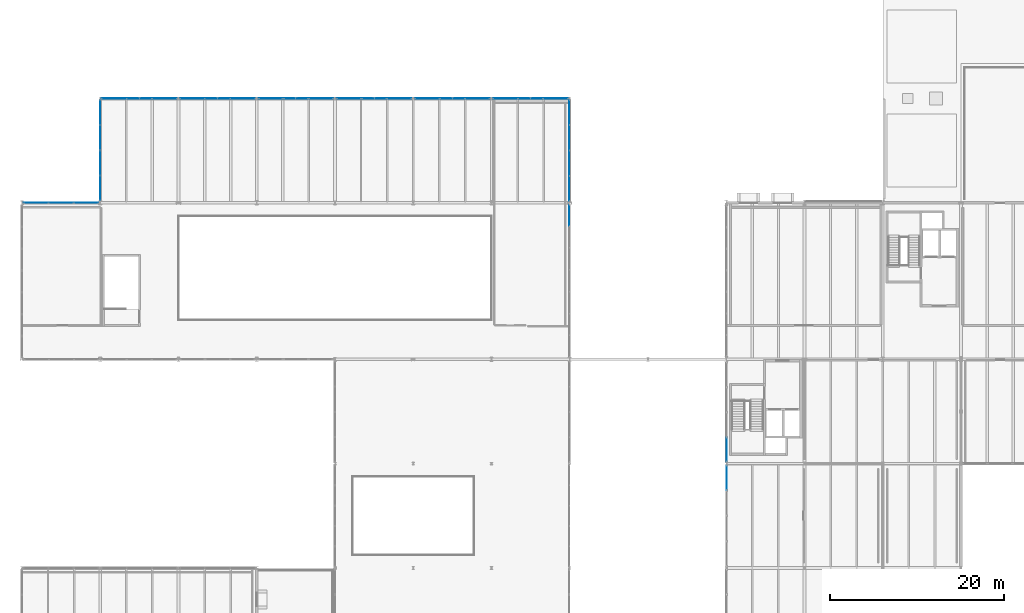
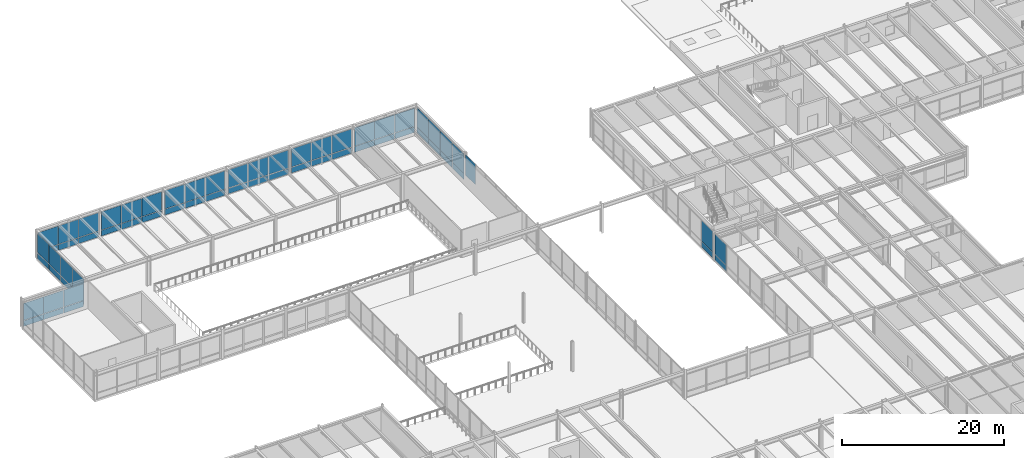
# One storey, part 94 of 115: 63 plates, 12 elements without a shape of their own.
"""IFC4 building model written with IfcOpenShell, lengths in metres."""

from ifc_helpers import new_model, si_unit, direction, frame, origin, origin_2d, place, context, subcontext, project, spatial, rectangle, extrude, material, layer, layer_set, type_object, element, aggregate, save


model = new_model("IFC4")

# Units and contexts
model_context = context("Model", 3, precision=1e-05, world=origin(), true_north=direction((0.0, 1.0)))
body_context = subcontext(model_context, "Body", "Model", "MODEL_VIEW")
ifc_project = project(units=[si_unit("LENGTHUNIT", "METRE"), si_unit("AREAUNIT", "SQUARE_METRE"), si_unit("VOLUMEUNIT", "CUBIC_METRE"), si_unit("PLANEANGLEUNIT", "RADIAN"), si_unit("MASSUNIT", "GRAM", prefix="KILO")], contexts=[model_context])

# Site, building, storey
site_placement = place(None, origin())
site = spatial("IfcSite", under=ifc_project, at=site_placement, CompositionType="ELEMENT")
building_placement = place(site_placement, origin())
building = spatial("IfcBuilding", under=site, at=building_placement, Name="Montelvaro Courts of Justice", CompositionType="ELEMENT")
storey_placement = place(building_placement, frame((0.0, 0.0, 9.89990234375)))
storey = spatial("IfcBuildingStorey", under=building, at=storey_placement, Name="L02", CompositionType="ELEMENT", Elevation=9.89990234375)

# Curtain wall, plate
ifc_material_1 = material(Name="Anodised aluminium EN AW-6063", Category="aluminium")
ifc_layer_1 = layer(ifc_material_1, 0.159912109375)
ifc_layer_set_1 = layer_set([ifc_layer_1], Name="Anodised aluminium EN AW-6063")
curtain_wall_type_1 = type_object("IfcCurtainWallType", Name="CurtainWall_22_1761x418", PredefinedType="USERDEFINED", material=ifc_layer_set_1)
curtain_wall_1_placement = place(storey_placement, origin())
curtain_wall_1 = element("IfcCurtainWall", 1, at=curtain_wall_1_placement, inside=storey, type_object=curtain_wall_type_1, Name="Curtain Wall CW-22 (L02)", ObjectType="CURTAIN WALL", PredefinedType="USERDEFINED")
ifc_material_2 = material(Name="Low-E solar control double glazing", Category="glass")
ifc_layer_2 = layer(ifc_material_2, 0.028076171875)
ifc_layer_set_2 = layer_set([ifc_layer_2], Name="Low-E solar control double glazing")
plate_type = type_object("IfcPlateType", Name="CurtainWall_Glazed_Panel_28", PredefinedType="CURTAIN_PANEL", material=ifc_layer_set_2)
plate_1_placement = place(storey_placement, frame((80.949951171875, 94.563232421875, 0.97998046875), z_axis=(0.0, 0.0, 1.0), x_axis=(0.0, 1.0, 0.0)))
plate_1 = element("IfcPlate", 2, at=plate_1_placement, type_object=plate_type, Name="CW-22 panel 7.2", PredefinedType="CURTAIN_PANEL", context=body_context, shape_type="SweptSolid", body=[
    extrude(rectangle(XDim=2.423583984375, YDim=0.028076171875, at=origin_2d()), origin(), (0.0, 0.0, 1.0), 3.080078125),
])
aggregate(curtain_wall_1, [plate_1])

# Curtain wall, plates
ifc_layer_3 = layer(ifc_material_1, 0.159912109375)
ifc_layer_set_3 = layer_set([ifc_layer_3], Name="Anodised aluminium EN AW-6063")
curtain_wall_type_2 = type_object("IfcCurtainWallType", Name="CurtainWall_24_1169x418", PredefinedType="USERDEFINED", material=ifc_layer_set_3)
curtain_wall_2_placement = place(storey_placement, origin())
curtain_wall_2 = element("IfcCurtainWall", 3, at=curtain_wall_2_placement, inside=storey, type_object=curtain_wall_type_2, Name="Curtain Wall CW-24 (L02)", ObjectType="CURTAIN WALL", PredefinedType="USERDEFINED")
plate_2_placement = place(storey_placement, frame((80.949951171875, 97.641357421875, 0.06005859375), z_axis=(0.0, 0.0, 1.0), x_axis=(0.0, 1.0, 0.0)))
plate_2 = element("IfcPlate", 4, at=plate_2_placement, type_object=plate_type, Name="CW-24 panel 1.1", PredefinedType="CURTAIN_PANEL", context=body_context, shape_type="SweptSolid", body=[
    extrude(rectangle(XDim=2.83251953125, YDim=0.028076171875, at=origin_2d()), origin(), (0.0, 0.0, 1.0), 0.860107421875),
])
plate_3_placement = place(storey_placement, frame((80.949951171875, 97.641357421875, 0.97998046875), z_axis=(0.0, 0.0, 1.0), x_axis=(0.0, 1.0, 0.0)))
plate_3 = element("IfcPlate", 5, at=plate_3_placement, type_object=plate_type, Name="CW-24 panel 1.2", PredefinedType="CURTAIN_PANEL", context=body_context, shape_type="SweptSolid", body=[
    extrude(rectangle(XDim=2.83251953125, YDim=0.028076171875, at=origin_2d()), origin(), (0.0, 0.0, 1.0), 2.905029296875),
])
plate_4_placement = place(storey_placement, frame((80.949951171875, 100.548828125, 0.06005859375), z_axis=(0.0, 0.0, 1.0), x_axis=(0.0, 1.0, 0.0)))
plate_4 = element("IfcPlate", 6, at=plate_4_placement, type_object=plate_type, Name="CW-24 panel 2.1", PredefinedType="CURTAIN_PANEL", context=body_context, shape_type="SweptSolid", body=[
    extrude(rectangle(XDim=2.862548828125, YDim=0.028076171875, at=origin_2d()), origin(), (0.0, 0.0, 1.0), 0.860107421875),
])
plate_5_placement = place(storey_placement, frame((80.949951171875, 100.548828125, 0.97998046875), z_axis=(0.0, 0.0, 1.0), x_axis=(0.0, 1.0, 0.0)))
plate_5 = element("IfcPlate", 7, at=plate_5_placement, type_object=plate_type, Name="CW-24 panel 2.2", PredefinedType="CURTAIN_PANEL", context=body_context, shape_type="SweptSolid", body=[
    extrude(rectangle(XDim=2.862548828125, YDim=0.028076171875, at=origin_2d()), origin(), (0.0, 0.0, 1.0), 2.905029296875),
])
plate_6_placement = place(storey_placement, frame((80.949951171875, 103.47119140625, 0.06005859375), z_axis=(0.0, 0.0, 1.0), x_axis=(0.0, 1.0, 0.0)))
plate_6 = element("IfcPlate", 8, at=plate_6_placement, type_object=plate_type, Name="CW-24 panel 3.1", PredefinedType="CURTAIN_PANEL", context=body_context, shape_type="SweptSolid", body=[
    extrude(rectangle(XDim=2.862548828125, YDim=0.028076171875, at=origin_2d()), origin(), (0.0, 0.0, 1.0), 0.860107421875),
])
plate_7_placement = place(storey_placement, frame((80.949951171875, 103.47119140625, 0.97998046875), z_axis=(0.0, 0.0, 1.0), x_axis=(0.0, 1.0, 0.0)))
plate_7 = element("IfcPlate", 9, at=plate_7_placement, type_object=plate_type, Name="CW-24 panel 3.2", PredefinedType="CURTAIN_PANEL", context=body_context, shape_type="SweptSolid", body=[
    extrude(rectangle(XDim=2.862548828125, YDim=0.028076171875, at=origin_2d()), origin(), (0.0, 0.0, 1.0), 2.905029296875),
])
plate_8_placement = place(storey_placement, frame((80.949951171875, 106.378662109375, 0.06005859375), z_axis=(0.0, 0.0, 1.0), x_axis=(0.0, 1.0, 0.0)))
plate_8 = element("IfcPlate", 10, at=plate_8_placement, type_object=plate_type, Name="CW-24 panel 4.1", PredefinedType="CURTAIN_PANEL", context=body_context, shape_type="SweptSolid", body=[
    extrude(rectangle(XDim=2.83251953125, YDim=0.028076171875, at=origin_2d()), origin(), (0.0, 0.0, 1.0), 0.860107421875),
])
plate_9_placement = place(storey_placement, frame((80.949951171875, 106.378662109375, 0.97998046875), z_axis=(0.0, 0.0, 1.0), x_axis=(0.0, 1.0, 0.0)))
plate_9 = element("IfcPlate", 11, at=plate_9_placement, type_object=plate_type, Name="CW-24 panel 4.2", PredefinedType="CURTAIN_PANEL", context=body_context, shape_type="SweptSolid", body=[
    extrude(rectangle(XDim=2.83251953125, YDim=0.028076171875, at=origin_2d()), origin(), (0.0, 0.0, 1.0), 2.905029296875),
])
aggregate(curtain_wall_2, [plate_2, plate_3, plate_4, plate_5, plate_6, plate_7, plate_8, plate_9])

ifc_layer_4 = layer(ifc_material_1, 0.159912109375)
ifc_layer_set_4 = layer_set([ifc_layer_4], Name="Anodised aluminium EN AW-6063")
curtain_wall_type_3 = type_object("IfcCurtainWallType", Name="CurtainWall_14_867x418", PredefinedType="USERDEFINED", material=ifc_layer_set_4)
curtain_wall_3_placement = place(storey_placement, origin())
curtain_wall_3 = element("IfcCurtainWall", 12, at=curtain_wall_3_placement, inside=storey, type_object=curtain_wall_type_3, Name="Curtain Wall CW-14 (L02)", ObjectType="CURTAIN WALL", PredefinedType="USERDEFINED")
plate_10_placement = place(storey_placement, frame((79.348388671875, 108.0, 0.06005859375), z_axis=(0.0, 0.0, 1.0), x_axis=(-1.0, 0.0, 0.0)))
plate_10 = element("IfcPlate", 13, at=plate_10_placement, type_object=plate_type, Name="CW-14 panel 1.1", PredefinedType="CURTAIN_PANEL", context=body_context, shape_type="SweptSolid", body=[
    extrude(rectangle(XDim=2.793212890625, YDim=0.028076171875, at=origin_2d()), origin(), (0.0, 0.0, 1.0), 0.860107421875),
])
plate_11_placement = place(storey_placement, frame((79.348388671875, 108.0, 0.980224609375), z_axis=(0.0, 0.0, 1.0), x_axis=(-1.0, 0.0, 0.0)))
plate_11 = element("IfcPlate", 14, at=plate_11_placement, type_object=plate_type, Name="CW-14 panel 1.2", PredefinedType="CURTAIN_PANEL", context=body_context, shape_type="SweptSolid", body=[
    extrude(rectangle(XDim=2.793212890625, YDim=0.028076171875, at=origin_2d()), origin(), (0.0, 0.0, 1.0), 2.7548828125),
])
plate_12_placement = place(storey_placement, frame((76.47998046875, 108.0, 0.06005859375), z_axis=(0.0, 0.0, 1.0), x_axis=(-1.0, 0.0, 0.0)))
plate_12 = element("IfcPlate", 15, at=plate_12_placement, type_object=plate_type, Name="CW-14 panel 2.1", PredefinedType="CURTAIN_PANEL", context=body_context, shape_type="SweptSolid", body=[
    extrude(rectangle(XDim=2.8232421875, YDim=0.028076171875, at=origin_2d()), origin(), (0.0, 0.0, 1.0), 0.860107421875),
])
plate_13_placement = place(storey_placement, frame((76.47998046875, 108.0, 0.980224609375), z_axis=(0.0, 0.0, 1.0), x_axis=(-1.0, 0.0, 0.0)))
plate_13 = element("IfcPlate", 16, at=plate_13_placement, type_object=plate_type, Name="CW-14 panel 2.2", PredefinedType="CURTAIN_PANEL", context=body_context, shape_type="SweptSolid", body=[
    extrude(rectangle(XDim=2.8232421875, YDim=0.028076171875, at=origin_2d()), origin(), (0.0, 0.0, 1.0), 2.7548828125),
])
plate_14_placement = place(storey_placement, frame((73.611572265625, 108.0, 0.06005859375), z_axis=(0.0, 0.0, 1.0), x_axis=(-1.0, 0.0, 0.0)))
plate_14 = element("IfcPlate", 17, at=plate_14_placement, type_object=plate_type, Name="CW-14 panel 3.1", PredefinedType="CURTAIN_PANEL", context=body_context, shape_type="SweptSolid", body=[
    extrude(rectangle(XDim=2.793212890625, YDim=0.028076171875, at=origin_2d()), origin(), (0.0, 0.0, 1.0), 0.860107421875),
])
plate_15_placement = place(storey_placement, frame((73.611572265625, 108.0, 0.980224609375), z_axis=(0.0, 0.0, 1.0), x_axis=(-1.0, 0.0, 0.0)))
plate_15 = element("IfcPlate", 18, at=plate_15_placement, type_object=plate_type, Name="CW-14 panel 3.2", PredefinedType="CURTAIN_PANEL", context=body_context, shape_type="SweptSolid", body=[
    extrude(rectangle(XDim=2.793212890625, YDim=0.028076171875, at=origin_2d()), origin(), (0.0, 0.0, 1.0), 2.7548828125),
])
aggregate(curtain_wall_3, [plate_10, plate_11, plate_12, plate_13, plate_14, plate_15])

ifc_layer_5 = layer(ifc_material_1, 0.159912109375)
ifc_layer_set_5 = layer_set([ifc_layer_5], Name="Anodised aluminium EN AW-6063")
curtain_wall_type_4 = type_object("IfcCurtainWallType", Name="CurtainWall_18_868x418", PredefinedType="USERDEFINED", material=ifc_layer_set_5)
curtain_wall_4_placement = place(storey_placement, origin())
curtain_wall_4 = element("IfcCurtainWall", 19, at=curtain_wall_4_placement, inside=storey, type_object=curtain_wall_type_4, Name="Curtain Wall CW-18 (L02)", ObjectType="CURTAIN WALL", PredefinedType="USERDEFINED")
plate_16_placement = place(storey_placement, frame((70.378662109375, 108.0, 0.0751953125), z_axis=(0.0, 0.0, 1.0), x_axis=(-1.0, 0.0, 0.0)))
plate_16 = element("IfcPlate", 20, at=plate_16_placement, type_object=plate_type, Name="CW-18 panel 1.1", PredefinedType="CURTAIN_PANEL", context=body_context, shape_type="SweptSolid", body=[
    extrude(rectangle(XDim=2.802490234375, YDim=0.028076171875, at=origin_2d()), origin(), (0.0, 0.0, 1.0), 0.83740234375),
])
plate_17_placement = place(storey_placement, frame((70.378662109375, 108.0, 0.987548828125), z_axis=(0.0, 0.0, 1.0), x_axis=(-1.0, 0.0, 0.0)))
plate_17 = element("IfcPlate", 21, at=plate_17_placement, type_object=plate_type, Name="CW-18 panel 1.2", PredefinedType="CURTAIN_PANEL", context=body_context, shape_type="SweptSolid", body=[
    extrude(rectangle(XDim=2.802490234375, YDim=0.028076171875, at=origin_2d()), origin(), (0.0, 0.0, 1.0), 2.732421875),
])
plate_18_placement = place(storey_placement, frame((67.4951171875, 108.0, 0.0751953125), z_axis=(0.0, 0.0, 1.0), x_axis=(-1.0, 0.0, 0.0)))
plate_18 = element("IfcPlate", 22, at=plate_18_placement, type_object=plate_type, Name="CW-18 panel 2.1", PredefinedType="CURTAIN_PANEL", context=body_context, shape_type="SweptSolid", body=[
    extrude(rectangle(XDim=2.8349609375, YDim=0.028076171875, at=origin_2d()), origin(), (0.0, 0.0, 1.0), 0.83740234375),
])
plate_19_placement = place(storey_placement, frame((67.4951171875, 108.0, 0.987548828125), z_axis=(0.0, 0.0, 1.0), x_axis=(-1.0, 0.0, 0.0)))
plate_19 = element("IfcPlate", 23, at=plate_19_placement, type_object=plate_type, Name="CW-18 panel 2.2", PredefinedType="CURTAIN_PANEL", context=body_context, shape_type="SweptSolid", body=[
    extrude(rectangle(XDim=2.8349609375, YDim=0.028076171875, at=origin_2d()), origin(), (0.0, 0.0, 1.0), 2.732421875),
])
plate_20_placement = place(storey_placement, frame((64.611328125, 108.0, 0.0751953125), z_axis=(0.0, 0.0, 1.0), x_axis=(-1.0, 0.0, 0.0)))
plate_20 = element("IfcPlate", 24, at=plate_20_placement, type_object=plate_type, Name="CW-18 panel 3.1", PredefinedType="CURTAIN_PANEL", context=body_context, shape_type="SweptSolid", body=[
    extrude(rectangle(XDim=2.802490234375, YDim=0.028076171875, at=origin_2d()), origin(), (0.0, 0.0, 1.0), 0.83740234375),
])
plate_21_placement = place(storey_placement, frame((64.611328125, 108.0, 0.987548828125), z_axis=(0.0, 0.0, 1.0), x_axis=(-1.0, 0.0, 0.0)))
plate_21 = element("IfcPlate", 25, at=plate_21_placement, type_object=plate_type, Name="CW-18 panel 3.2", PredefinedType="CURTAIN_PANEL", context=body_context, shape_type="SweptSolid", body=[
    extrude(rectangle(XDim=2.802490234375, YDim=0.028076171875, at=origin_2d()), origin(), (0.0, 0.0, 1.0), 2.732421875),
])
aggregate(curtain_wall_4, [plate_16, plate_17, plate_18, plate_19, plate_20, plate_21])

curtain_wall_5_placement = place(storey_placement, origin())
curtain_wall_5 = element("IfcCurtainWall", 26, at=curtain_wall_5_placement, inside=storey, type_object=curtain_wall_type_4, Name="Curtain Wall CW-18 (L02)", ObjectType="CURTAIN WALL", PredefinedType="USERDEFINED")
plate_22_placement = place(storey_placement, frame((61.384521484375, 108.0, 0.0751953125), z_axis=(0.0, 0.0, 1.0), x_axis=(-1.0, 0.0, 0.0)))
plate_22 = element("IfcPlate", 27, at=plate_22_placement, type_object=plate_type, Name="CW-18 panel 1.1", PredefinedType="CURTAIN_PANEL", context=body_context, shape_type="SweptSolid", body=[
    extrude(rectangle(XDim=2.790771484375, YDim=0.028076171875, at=origin_2d()), origin(), (0.0, 0.0, 1.0), 0.83740234375),
])
plate_23_placement = place(storey_placement, frame((61.384521484375, 108.0, 0.987548828125), z_axis=(0.0, 0.0, 1.0), x_axis=(-1.0, 0.0, 0.0)))
plate_23 = element("IfcPlate", 28, at=plate_23_placement, type_object=plate_type, Name="CW-18 panel 1.2", PredefinedType="CURTAIN_PANEL", context=body_context, shape_type="SweptSolid", body=[
    extrude(rectangle(XDim=2.790771484375, YDim=0.028076171875, at=origin_2d()), origin(), (0.0, 0.0, 1.0), 2.732421875),
])
plate_24_placement = place(storey_placement, frame((58.5, 108.0, 0.0751953125), z_axis=(0.0, 0.0, 1.0), x_axis=(-1.0, 0.0, 0.0)))
plate_24 = element("IfcPlate", 29, at=plate_24_placement, type_object=plate_type, Name="CW-18 panel 2.1", PredefinedType="CURTAIN_PANEL", context=body_context, shape_type="SweptSolid", body=[
    extrude(rectangle(XDim=2.828369140625, YDim=0.028076171875, at=origin_2d()), origin(), (0.0, 0.0, 1.0), 0.83740234375),
])
plate_25_placement = place(storey_placement, frame((58.5, 108.0, 0.987548828125), z_axis=(0.0, 0.0, 1.0), x_axis=(-1.0, 0.0, 0.0)))
plate_25 = element("IfcPlate", 30, at=plate_25_placement, type_object=plate_type, Name="CW-18 panel 2.2", PredefinedType="CURTAIN_PANEL", context=body_context, shape_type="SweptSolid", body=[
    extrude(rectangle(XDim=2.828369140625, YDim=0.028076171875, at=origin_2d()), origin(), (0.0, 0.0, 1.0), 2.732421875),
])
plate_26_placement = place(storey_placement, frame((55.615478515625, 108.0, 0.0751953125), z_axis=(0.0, 0.0, 1.0), x_axis=(-1.0, 0.0, 0.0)))
plate_26 = element("IfcPlate", 31, at=plate_26_placement, type_object=plate_type, Name="CW-18 panel 3.1", PredefinedType="CURTAIN_PANEL", context=body_context, shape_type="SweptSolid", body=[
    extrude(rectangle(XDim=2.790771484375, YDim=0.028076171875, at=origin_2d()), origin(), (0.0, 0.0, 1.0), 0.83740234375),
])
plate_27_placement = place(storey_placement, frame((55.615478515625, 108.0, 0.987548828125), z_axis=(0.0, 0.0, 1.0), x_axis=(-1.0, 0.0, 0.0)))
plate_27 = element("IfcPlate", 32, at=plate_27_placement, type_object=plate_type, Name="CW-18 panel 3.2", PredefinedType="CURTAIN_PANEL", context=body_context, shape_type="SweptSolid", body=[
    extrude(rectangle(XDim=2.790771484375, YDim=0.028076171875, at=origin_2d()), origin(), (0.0, 0.0, 1.0), 2.732421875),
])
aggregate(curtain_wall_5, [plate_22, plate_23, plate_24, plate_25, plate_26, plate_27])

curtain_wall_6_placement = place(storey_placement, origin())
curtain_wall_6 = element("IfcCurtainWall", 33, at=curtain_wall_6_placement, inside=storey, type_object=curtain_wall_type_4, Name="Curtain Wall CW-18 (L02)", ObjectType="CURTAIN WALL", PredefinedType="USERDEFINED")
plate_28_placement = place(storey_placement, frame((52.38623046875, 108.0, 0.06005859375), z_axis=(0.0, 0.0, 1.0), x_axis=(-1.0, 0.0, 0.0)))
plate_28 = element("IfcPlate", 34, at=plate_28_placement, type_object=plate_type, Name="CW-18 panel 1.1", PredefinedType="CURTAIN_PANEL", context=body_context, shape_type="SweptSolid", body=[
    extrude(rectangle(XDim=2.78759765625, YDim=0.028076171875, at=origin_2d()), origin(), (0.0, 0.0, 1.0), 0.860107421875),
])
plate_29_placement = place(storey_placement, frame((52.38623046875, 108.0, 0.980224609375), z_axis=(0.0, 0.0, 1.0), x_axis=(-1.0, 0.0, 0.0)))
plate_29 = element("IfcPlate", 35, at=plate_29_placement, type_object=plate_type, Name="CW-18 panel 1.2", PredefinedType="CURTAIN_PANEL", context=body_context, shape_type="SweptSolid", body=[
    extrude(rectangle(XDim=2.78759765625, YDim=0.028076171875, at=origin_2d()), origin(), (0.0, 0.0, 1.0), 2.7548828125),
])
plate_30_placement = place(storey_placement, frame((49.5048828125, 108.0, 0.06005859375), z_axis=(0.0, 0.0, 1.0), x_axis=(-1.0, 0.0, 0.0)))
plate_30 = element("IfcPlate", 36, at=plate_30_placement, type_object=plate_type, Name="CW-18 panel 2.1", PredefinedType="CURTAIN_PANEL", context=body_context, shape_type="SweptSolid", body=[
    extrude(rectangle(XDim=2.824951171875, YDim=0.028076171875, at=origin_2d()), origin(), (0.0, 0.0, 1.0), 0.860107421875),
])
plate_31_placement = place(storey_placement, frame((49.5048828125, 108.0, 0.980224609375), z_axis=(0.0, 0.0, 1.0), x_axis=(-1.0, 0.0, 0.0)))
plate_31 = element("IfcPlate", 37, at=plate_31_placement, type_object=plate_type, Name="CW-18 panel 2.2", PredefinedType="CURTAIN_PANEL", context=body_context, shape_type="SweptSolid", body=[
    extrude(rectangle(XDim=2.824951171875, YDim=0.028076171875, at=origin_2d()), origin(), (0.0, 0.0, 1.0), 2.7548828125),
])
plate_32_placement = place(storey_placement, frame((46.623779296875, 108.0, 0.06005859375), z_axis=(0.0, 0.0, 1.0), x_axis=(-1.0, 0.0, 0.0)))
plate_32 = element("IfcPlate", 38, at=plate_32_placement, type_object=plate_type, Name="CW-18 panel 3.1", PredefinedType="CURTAIN_PANEL", context=body_context, shape_type="SweptSolid", body=[
    extrude(rectangle(XDim=2.78759765625, YDim=0.028076171875, at=origin_2d()), origin(), (0.0, 0.0, 1.0), 0.860107421875),
])
plate_33_placement = place(storey_placement, frame((46.623779296875, 108.0, 0.980224609375), z_axis=(0.0, 0.0, 1.0), x_axis=(-1.0, 0.0, 0.0)))
plate_33 = element("IfcPlate", 39, at=plate_33_placement, type_object=plate_type, Name="CW-18 panel 3.2", PredefinedType="CURTAIN_PANEL", context=body_context, shape_type="SweptSolid", body=[
    extrude(rectangle(XDim=2.78759765625, YDim=0.028076171875, at=origin_2d()), origin(), (0.0, 0.0, 1.0), 2.7548828125),
])
aggregate(curtain_wall_6, [plate_28, plate_29, plate_30, plate_31, plate_32, plate_33])

curtain_wall_7_placement = place(storey_placement, origin())
curtain_wall_7 = element("IfcCurtainWall", 40, at=curtain_wall_7_placement, inside=storey, type_object=curtain_wall_type_4, Name="Curtain Wall CW-18 (L02)", ObjectType="CURTAIN WALL", PredefinedType="USERDEFINED")
plate_34_placement = place(storey_placement, frame((43.3798828125, 108.0, 0.06005859375), z_axis=(0.0, 0.0, 1.0), x_axis=(-1.0, 0.0, 0.0)))
plate_34 = element("IfcPlate", 41, at=plate_34_placement, type_object=plate_type, Name="CW-18 panel 1.1", PredefinedType="CURTAIN_PANEL", context=body_context, shape_type="SweptSolid", body=[
    extrude(rectangle(XDim=2.81005859375, YDim=0.028076171875, at=origin_2d()), origin(), (0.0, 0.0, 1.0), 0.860107421875),
])
plate_35_placement = place(storey_placement, frame((43.3798828125, 108.0, 0.980224609375), z_axis=(0.0, 0.0, 1.0), x_axis=(-1.0, 0.0, 0.0)))
plate_35 = element("IfcPlate", 42, at=plate_35_placement, type_object=plate_type, Name="CW-18 panel 1.2", PredefinedType="CURTAIN_PANEL", context=body_context, shape_type="SweptSolid", body=[
    extrude(rectangle(XDim=2.81005859375, YDim=0.028076171875, at=origin_2d()), origin(), (0.0, 0.0, 1.0), 2.7548828125),
])
plate_36_placement = place(storey_placement, frame((40.4951171875, 108.0, 0.06005859375), z_axis=(0.0, 0.0, 1.0), x_axis=(-1.0, 0.0, 0.0)))
plate_36 = element("IfcPlate", 43, at=plate_36_placement, type_object=plate_type, Name="CW-18 panel 2.1", PredefinedType="CURTAIN_PANEL", context=body_context, shape_type="SweptSolid", body=[
    extrude(rectangle(XDim=2.840087890625, YDim=0.028076171875, at=origin_2d()), origin(), (0.0, 0.0, 1.0), 0.860107421875),
])
plate_37_placement = place(storey_placement, frame((40.4951171875, 108.0, 0.980224609375), z_axis=(0.0, 0.0, 1.0), x_axis=(-1.0, 0.0, 0.0)))
plate_37 = element("IfcPlate", 44, at=plate_37_placement, type_object=plate_type, Name="CW-18 panel 2.2", PredefinedType="CURTAIN_PANEL", context=body_context, shape_type="SweptSolid", body=[
    extrude(rectangle(XDim=2.840087890625, YDim=0.028076171875, at=origin_2d()), origin(), (0.0, 0.0, 1.0), 2.7548828125),
])
plate_38_placement = place(storey_placement, frame((37.610107421875, 108.0, 0.06005859375), z_axis=(0.0, 0.0, 1.0), x_axis=(-1.0, 0.0, 0.0)))
plate_38 = element("IfcPlate", 45, at=plate_38_placement, type_object=plate_type, Name="CW-18 panel 3.1", PredefinedType="CURTAIN_PANEL", context=body_context, shape_type="SweptSolid", body=[
    extrude(rectangle(XDim=2.81005859375, YDim=0.028076171875, at=origin_2d()), origin(), (0.0, 0.0, 1.0), 0.860107421875),
])
plate_39_placement = place(storey_placement, frame((37.610107421875, 108.0, 0.980224609375), z_axis=(0.0, 0.0, 1.0), x_axis=(-1.0, 0.0, 0.0)))
plate_39 = element("IfcPlate", 46, at=plate_39_placement, type_object=plate_type, Name="CW-18 panel 3.2", PredefinedType="CURTAIN_PANEL", context=body_context, shape_type="SweptSolid", body=[
    extrude(rectangle(XDim=2.81005859375, YDim=0.028076171875, at=origin_2d()), origin(), (0.0, 0.0, 1.0), 2.7548828125),
])
aggregate(curtain_wall_7, [plate_34, plate_35, plate_36, plate_37, plate_38, plate_39])

curtain_wall_8_placement = place(storey_placement, origin())
curtain_wall_8 = element("IfcCurtainWall", 47, at=curtain_wall_8_placement, inside=storey, type_object=curtain_wall_type_4, Name="Curtain Wall CW-18 (L02)", ObjectType="CURTAIN WALL", PredefinedType="USERDEFINED")
plate_40_placement = place(storey_placement, frame((34.388427734375, 108.0, 0.06005859375), z_axis=(0.0, 0.0, 1.0), x_axis=(-1.0, 0.0, 0.0)))
plate_40 = element("IfcPlate", 48, at=plate_40_placement, type_object=plate_type, Name="CW-18 panel 1.1", PredefinedType="CURTAIN_PANEL", context=body_context, shape_type="SweptSolid", body=[
    extrude(rectangle(XDim=2.813232421875, YDim=0.028076171875, at=origin_2d()), origin(), (0.0, 0.0, 1.0), 0.860107421875),
])
plate_41_placement = place(storey_placement, frame((34.388427734375, 108.0, 0.980224609375), z_axis=(0.0, 0.0, 1.0), x_axis=(-1.0, 0.0, 0.0)))
plate_41 = element("IfcPlate", 49, at=plate_41_placement, type_object=plate_type, Name="CW-18 panel 1.2", PredefinedType="CURTAIN_PANEL", context=body_context, shape_type="SweptSolid", body=[
    extrude(rectangle(XDim=2.813232421875, YDim=0.028076171875, at=origin_2d()), origin(), (0.0, 0.0, 1.0), 2.7548828125),
])
plate_42_placement = place(storey_placement, frame((31.5, 108.0, 0.06005859375), z_axis=(0.0, 0.0, 1.0), x_axis=(-1.0, 0.0, 0.0)))
plate_42 = element("IfcPlate", 50, at=plate_42_placement, type_object=plate_type, Name="CW-18 panel 2.1", PredefinedType="CURTAIN_PANEL", context=body_context, shape_type="SweptSolid", body=[
    extrude(rectangle(XDim=2.84326171875, YDim=0.028076171875, at=origin_2d()), origin(), (0.0, 0.0, 1.0), 0.860107421875),
])
plate_43_placement = place(storey_placement, frame((31.5, 108.0, 0.980224609375), z_axis=(0.0, 0.0, 1.0), x_axis=(-1.0, 0.0, 0.0)))
plate_43 = element("IfcPlate", 51, at=plate_43_placement, type_object=plate_type, Name="CW-18 panel 2.2", PredefinedType="CURTAIN_PANEL", context=body_context, shape_type="SweptSolid", body=[
    extrude(rectangle(XDim=2.84326171875, YDim=0.028076171875, at=origin_2d()), origin(), (0.0, 0.0, 1.0), 2.7548828125),
])
plate_44_placement = place(storey_placement, frame((28.611572265625, 108.0, 0.06005859375), z_axis=(0.0, 0.0, 1.0), x_axis=(-1.0, 0.0, 0.0)))
plate_44 = element("IfcPlate", 52, at=plate_44_placement, type_object=plate_type, Name="CW-18 panel 3.1", PredefinedType="CURTAIN_PANEL", context=body_context, shape_type="SweptSolid", body=[
    extrude(rectangle(XDim=2.813232421875, YDim=0.028076171875, at=origin_2d()), origin(), (0.0, 0.0, 1.0), 0.860107421875),
])
plate_45_placement = place(storey_placement, frame((28.611572265625, 108.0, 0.980224609375), z_axis=(0.0, 0.0, 1.0), x_axis=(-1.0, 0.0, 0.0)))
plate_45 = element("IfcPlate", 53, at=plate_45_placement, type_object=plate_type, Name="CW-18 panel 3.2", PredefinedType="CURTAIN_PANEL", context=body_context, shape_type="SweptSolid", body=[
    extrude(rectangle(XDim=2.813232421875, YDim=0.028076171875, at=origin_2d()), origin(), (0.0, 0.0, 1.0), 2.7548828125),
])
aggregate(curtain_wall_8, [plate_40, plate_41, plate_42, plate_43, plate_44, plate_45])

ifc_layer_6 = layer(ifc_material_1, 0.159912109375)
ifc_layer_set_6 = layer_set([ifc_layer_6], Name="Anodised aluminium EN AW-6063")
curtain_wall_type_5 = type_object("IfcCurtainWallType", Name="CurtainWall_19_1159x418", PredefinedType="USERDEFINED", material=ifc_layer_set_6)
curtain_wall_9_placement = place(storey_placement, origin())
curtain_wall_9 = element("IfcCurtainWall", 54, at=curtain_wall_9_placement, inside=storey, type_object=curtain_wall_type_5, Name="Curtain Wall CW-19 (L02)", ObjectType="CURTAIN WALL", PredefinedType="USERDEFINED")
plate_46_placement = place(storey_placement, frame((27.0, 106.38818359375, 0.0751953125), z_axis=(0.0, 0.0, 1.0), x_axis=(0.0, -1.0, 0.0)))
plate_46 = element("IfcPlate", 55, at=plate_46_placement, type_object=plate_type, Name="CW-19 panel 1.1", PredefinedType="CURTAIN_PANEL", context=body_context, shape_type="SweptSolid", body=[
    extrude(rectangle(XDim=2.813720703125, YDim=0.028076171875, at=origin_2d()), origin(), (0.0, 0.0, 1.0), 0.83740234375),
])
plate_47_placement = place(storey_placement, frame((27.0, 106.38818359375, 0.98779296875), z_axis=(0.0, 0.0, 1.0), x_axis=(0.0, -1.0, 0.0)))
plate_47 = element("IfcPlate", 56, at=plate_47_placement, type_object=plate_type, Name="CW-19 panel 1.2", PredefinedType="CURTAIN_PANEL", context=body_context, shape_type="SweptSolid", body=[
    extrude(rectangle(XDim=2.813720703125, YDim=0.028076171875, at=origin_2d()), origin(), (0.0, 0.0, 1.0), 2.882568359375),
])
plate_48_placement = place(storey_placement, frame((27.0, 103.499267578125, 0.0751953125), z_axis=(0.0, 0.0, 1.0), x_axis=(0.0, -1.0, 0.0)))
plate_48 = element("IfcPlate", 57, at=plate_48_placement, type_object=plate_type, Name="CW-19 panel 2.1", PredefinedType="CURTAIN_PANEL", context=body_context, shape_type="SweptSolid", body=[
    extrude(rectangle(XDim=2.84375, YDim=0.028076171875, at=origin_2d()), origin(), (0.0, 0.0, 1.0), 0.83740234375),
])
plate_49_placement = place(storey_placement, frame((27.0, 103.499267578125, 0.98779296875), z_axis=(0.0, 0.0, 1.0), x_axis=(0.0, -1.0, 0.0)))
plate_49 = element("IfcPlate", 58, at=plate_49_placement, type_object=plate_type, Name="CW-19 panel 2.2", PredefinedType="CURTAIN_PANEL", context=body_context, shape_type="SweptSolid", body=[
    extrude(rectangle(XDim=2.84375, YDim=0.028076171875, at=origin_2d()), origin(), (0.0, 0.0, 1.0), 2.882568359375),
])
plate_50_placement = place(storey_placement, frame((27.0, 100.595703125, 0.0751953125), z_axis=(0.0, 0.0, 1.0), x_axis=(0.0, -1.0, 0.0)))
plate_50 = element("IfcPlate", 59, at=plate_50_placement, type_object=plate_type, Name="CW-19 panel 3.1", PredefinedType="CURTAIN_PANEL", context=body_context, shape_type="SweptSolid", body=[
    extrude(rectangle(XDim=2.84375, YDim=0.028076171875, at=origin_2d()), origin(), (0.0, 0.0, 1.0), 0.83740234375),
])
plate_51_placement = place(storey_placement, frame((27.0, 100.595703125, 0.98779296875), z_axis=(0.0, 0.0, 1.0), x_axis=(0.0, -1.0, 0.0)))
plate_51 = element("IfcPlate", 60, at=plate_51_placement, type_object=plate_type, Name="CW-19 panel 3.2", PredefinedType="CURTAIN_PANEL", context=body_context, shape_type="SweptSolid", body=[
    extrude(rectangle(XDim=2.84375, YDim=0.028076171875, at=origin_2d()), origin(), (0.0, 0.0, 1.0), 2.882568359375),
])
plate_52_placement = place(storey_placement, frame((27.0, 97.706787109375, 0.0751953125), z_axis=(0.0, 0.0, 1.0), x_axis=(0.0, -1.0, 0.0)))
plate_52 = element("IfcPlate", 61, at=plate_52_placement, type_object=plate_type, Name="CW-19 panel 4.1", PredefinedType="CURTAIN_PANEL", context=body_context, shape_type="SweptSolid", body=[
    extrude(rectangle(XDim=2.813720703125, YDim=0.028076171875, at=origin_2d()), origin(), (0.0, 0.0, 1.0), 0.83740234375),
])
plate_53_placement = place(storey_placement, frame((27.0, 97.706787109375, 0.98779296875), z_axis=(0.0, 0.0, 1.0), x_axis=(0.0, -1.0, 0.0)))
plate_53 = element("IfcPlate", 62, at=plate_53_placement, type_object=plate_type, Name="CW-19 panel 4.2", PredefinedType="CURTAIN_PANEL", context=body_context, shape_type="SweptSolid", body=[
    extrude(rectangle(XDim=2.813720703125, YDim=0.028076171875, at=origin_2d()), origin(), (0.0, 0.0, 1.0), 2.882568359375),
])
aggregate(curtain_wall_9, [plate_46, plate_47, plate_48, plate_49, plate_50, plate_51, plate_52, plate_53])

curtain_wall_10_placement = place(storey_placement, origin())
curtain_wall_10 = element("IfcCurtainWall", 63, at=curtain_wall_10_placement, inside=storey, type_object=curtain_wall_type_3, Name="Curtain Wall CW-14 (L02)", ObjectType="CURTAIN WALL", PredefinedType="USERDEFINED")
plate_54_placement = place(storey_placement, frame((25.373779296875, 96.0, 0.0751953125), z_axis=(0.0, 0.0, 1.0), x_axis=(-1.0, 0.0, 0.0)))
plate_54 = element("IfcPlate", 64, at=plate_54_placement, type_object=plate_type, Name="CW-14 panel 1.1", PredefinedType="CURTAIN_PANEL", context=body_context, shape_type="SweptSolid", body=[
    extrude(rectangle(XDim=2.79248046875, YDim=0.028076171875, at=origin_2d()), origin(), (0.0, 0.0, 1.0), 0.83740234375),
])
plate_55_placement = place(storey_placement, frame((25.373779296875, 96.0, 0.98779296875), z_axis=(0.0, 0.0, 1.0), x_axis=(-1.0, 0.0, 0.0)))
plate_55 = element("IfcPlate", 65, at=plate_55_placement, type_object=plate_type, Name="CW-14 panel 1.2", PredefinedType="CURTAIN_PANEL", context=body_context, shape_type="SweptSolid", body=[
    extrude(rectangle(XDim=2.79248046875, YDim=0.028076171875, at=origin_2d()), origin(), (0.0, 0.0, 1.0), 2.532470703125),
])
plate_56_placement = place(storey_placement, frame((22.5, 96.0, 0.0751953125), z_axis=(0.0, 0.0, 1.0), x_axis=(-1.0, 0.0, 0.0)))
plate_56 = element("IfcPlate", 66, at=plate_56_placement, type_object=plate_type, Name="CW-14 panel 2.1", PredefinedType="CURTAIN_PANEL", context=body_context, shape_type="SweptSolid", body=[
    extrude(rectangle(XDim=2.824951171875, YDim=0.028076171875, at=origin_2d()), origin(), (0.0, 0.0, 1.0), 0.83740234375),
])
plate_57_placement = place(storey_placement, frame((22.5, 96.0, 0.98779296875), z_axis=(0.0, 0.0, 1.0), x_axis=(-1.0, 0.0, 0.0)))
plate_57 = element("IfcPlate", 67, at=plate_57_placement, type_object=plate_type, Name="CW-14 panel 2.2", PredefinedType="CURTAIN_PANEL", context=body_context, shape_type="SweptSolid", body=[
    extrude(rectangle(XDim=2.824951171875, YDim=0.028076171875, at=origin_2d()), origin(), (0.0, 0.0, 1.0), 2.532470703125),
])
plate_58_placement = place(storey_placement, frame((19.626220703125, 96.0, 0.0751953125), z_axis=(0.0, 0.0, 1.0), x_axis=(-1.0, 0.0, 0.0)))
plate_58 = element("IfcPlate", 68, at=plate_58_placement, type_object=plate_type, Name="CW-14 panel 3.1", PredefinedType="CURTAIN_PANEL", context=body_context, shape_type="SweptSolid", body=[
    extrude(rectangle(XDim=2.79248046875, YDim=0.028076171875, at=origin_2d()), origin(), (0.0, 0.0, 1.0), 0.83740234375),
])
plate_59_placement = place(storey_placement, frame((19.626220703125, 96.0, 0.98779296875), z_axis=(0.0, 0.0, 1.0), x_axis=(-1.0, 0.0, 0.0)))
plate_59 = element("IfcPlate", 69, at=plate_59_placement, type_object=plate_type, Name="CW-14 panel 3.2", PredefinedType="CURTAIN_PANEL", context=body_context, shape_type="SweptSolid", body=[
    extrude(rectangle(XDim=2.79248046875, YDim=0.028076171875, at=origin_2d()), origin(), (0.0, 0.0, 1.0), 2.532470703125),
])
aggregate(curtain_wall_10, [plate_54, plate_55, plate_56, plate_57, plate_58, plate_59])

ifc_layer_7 = layer(ifc_material_1, 0.159912109375)
ifc_layer_set_7 = layer_set([ifc_layer_7], Name="Anodised aluminium EN AW-6063")
curtain_wall_type_6 = type_object("IfcCurtainWallType", Name="CurtainWall_23_1154x418", PredefinedType="USERDEFINED", material=ifc_layer_set_7)
curtain_wall_11_placement = place(storey_placement, origin())
curtain_wall_11 = element("IfcCurtainWall", 70, at=curtain_wall_11_placement, inside=storey, type_object=curtain_wall_type_6, Name="Curtain Wall CW-23 (L02)", ObjectType="CURTAIN WALL", PredefinedType="USERDEFINED")
plate_60_placement = place(storey_placement, frame((99.050048828125, 67.614990234375, 0.06005859375), z_axis=(0.0, 0.0, 1.0), x_axis=(0.0, -1.0, 0.0)))
plate_60 = element("IfcPlate", 71, at=plate_60_placement, type_object=plate_type, Name="CW-23 panel 4.1", PredefinedType="CURTAIN_PANEL", context=body_context, shape_type="SweptSolid", body=[
    extrude(rectangle(XDim=2.77001953125, YDim=0.028076171875, at=origin_2d()), origin(), (0.0, 0.0, 1.0), 0.860107421875),
])
plate_61_placement = place(storey_placement, frame((99.050048828125, 67.614990234375, 0.97998046875), z_axis=(0.0, 0.0, 1.0), x_axis=(0.0, -1.0, 0.0)))
plate_61 = element("IfcPlate", 72, at=plate_61_placement, type_object=plate_type, Name="CW-23 panel 4.2", PredefinedType="CURTAIN_PANEL", context=body_context, shape_type="SweptSolid", body=[
    extrude(rectangle(XDim=2.77001953125, YDim=0.028076171875, at=origin_2d()), origin(), (0.0, 0.0, 1.0), 3.080078125),
])
aggregate(curtain_wall_11, [plate_60, plate_61])

curtain_wall_12_placement = place(storey_placement, origin())
curtain_wall_12 = element("IfcCurtainWall", 73, at=curtain_wall_12_placement, inside=storey, type_object=curtain_wall_type_2, Name="Curtain Wall CW-24 (L02)", ObjectType="CURTAIN WALL", PredefinedType="USERDEFINED")
plate_62_placement = place(storey_placement, frame((99.050048828125, 64.364990234375, 0.0751953125), z_axis=(0.0, 0.0, 1.0), x_axis=(0.0, -1.0, 0.0)))
plate_62 = element("IfcPlate", 74, at=plate_62_placement, type_object=plate_type, Name="CW-24 panel 1.1", PredefinedType="CURTAIN_PANEL", context=body_context, shape_type="SweptSolid", body=[
    extrude(rectangle(XDim=2.81005859375, YDim=0.028076171875, at=origin_2d()), origin(), (0.0, 0.0, 1.0), 0.83740234375),
])
plate_63_placement = place(storey_placement, frame((99.050048828125, 64.364990234375, 0.987548828125), z_axis=(0.0, 0.0, 1.0), x_axis=(0.0, -1.0, 0.0)))
plate_63 = element("IfcPlate", 75, at=plate_63_placement, type_object=plate_type, Name="CW-24 panel 1.2", PredefinedType="CURTAIN_PANEL", context=body_context, shape_type="SweptSolid", body=[
    extrude(rectangle(XDim=2.81005859375, YDim=0.028076171875, at=origin_2d()), origin(), (0.0, 0.0, 1.0), 3.0576171875),
])
aggregate(curtain_wall_12, [plate_62, plate_63])

save(model, "model.ifc")
